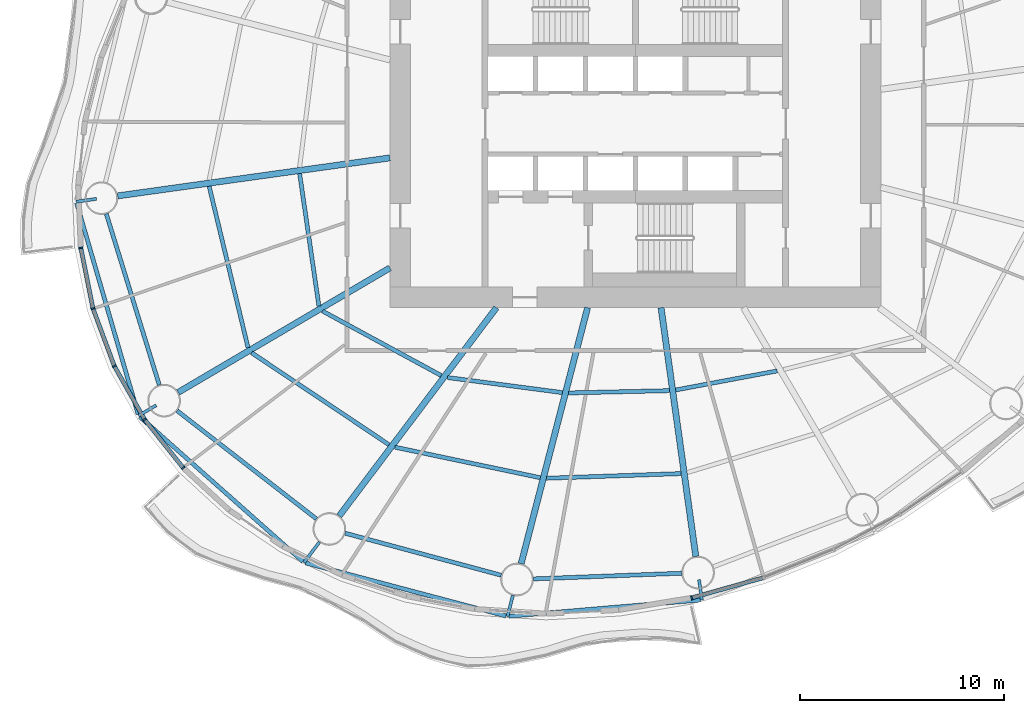
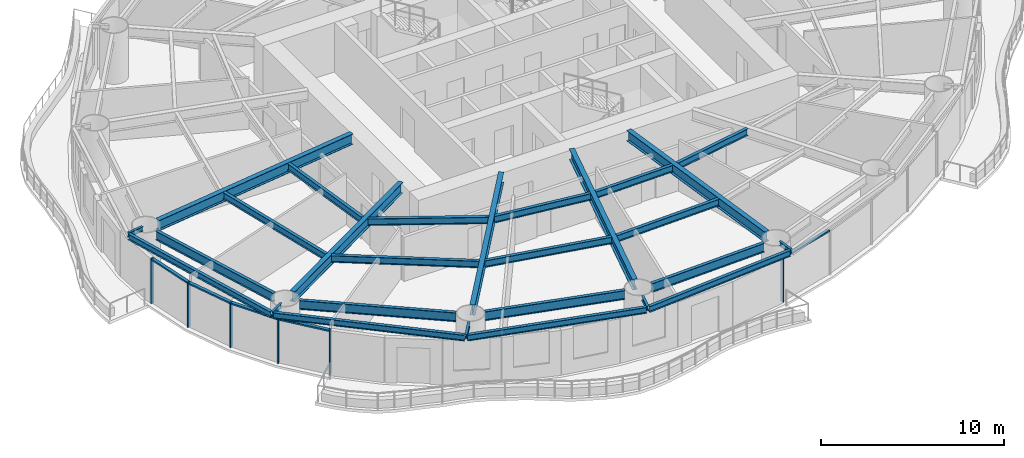
# One storey, part 2 of 14: 27 beams, 11 members, 5 elements without a shape of their own.
"""IFC4 building model written with IfcOpenShell, lengths in metres."""

from ifc_helpers import new_model, si_unit, direction, frame, origin, origin_2d, place, context, subcontext, project, spatial, rectangle, i_section, extrude, material, material_profile, profile_set, type_object, element, aggregate, save


model = new_model("IFC4")

# Units and contexts
model_context = context("Model", 3, precision=1e-05, world=origin(), true_north=direction((0.0, 1.0)))
body_context = subcontext(model_context, "Body", "Model", "MODEL_VIEW")
ifc_project = project(units=[si_unit("LENGTHUNIT", "METRE"), si_unit("AREAUNIT", "SQUARE_METRE"), si_unit("VOLUMEUNIT", "CUBIC_METRE"), si_unit("PLANEANGLEUNIT", "RADIAN"), si_unit("MASSUNIT", "GRAM", prefix="KILO")], contexts=[model_context])

# Site, building, storey
site_placement = place(None, origin())
site = spatial("IfcSite", under=ifc_project, at=site_placement, CompositionType="ELEMENT")
building_placement = place(site_placement, origin())
building = spatial("IfcBuilding", under=site, at=building_placement, Name="Vermilion Reach Broadcast Tower", CompositionType="ELEMENT")
storey_placement = place(building_placement, frame((0.0, 0.0, 131.800048828125)))
storey = spatial("IfcBuildingStorey", under=building, at=storey_placement, Name="L31", CompositionType="ELEMENT", Elevation=131.800048828125)

# Beams
ifc_material_1 = material(Name="Steel S355J2", Category="steel")
ifc_material_profile_1 = material_profile(ifc_material_1, i_section(OverallWidth=0.199951171875, OverallDepth=0.39990234375, WebThickness=0.008056640625, FlangeThickness=0.012939453125, at=origin_2d()), Name="S355J2 HN 400x200x8x13")
ifc_profile_set_1 = profile_set([ifc_material_profile_1], Name="Steel S355J2")
beam_type_1 = type_object("IfcBeamType", Name="EB2 HN 400x200x8x13", PredefinedType="BEAM", material=ifc_profile_set_1)
beam_1_placement = place(storey_placement, frame((-33.3203125, -3.89111328125, 3.199951171875), z_axis=(0.279657086378, -0.960099950025, 0.0), x_axis=(0.960099950025, 0.279657086378, 0.0)))
element("IfcBeam", 1, at=beam_1_placement, inside=storey, type_object=beam_type_1, Name="Edge beam EB2-08", PredefinedType="BEAM", context=body_context, shape_type="SweptSolid", body=[
    extrude(i_section(OverallWidth=0.199951171875, OverallDepth=0.39990234375, WebThickness=0.008056640625, FlangeThickness=0.012939453125, at=origin_2d()), origin(), (0.0, 0.0, 1.0), 10.744873046875),
])
beam_2_placement = place(storey_placement, frame((-30.234619140625, -14.333984375, 3.199951171875), z_axis=(0.747933286133, -0.66377390691, 0.0), x_axis=(0.66377390691, 0.747933286133, 0.0)))
element("IfcBeam", 2, at=beam_2_placement, inside=storey, type_object=beam_type_1, Name="Edge beam EB2-09", PredefinedType="BEAM", context=body_context, shape_type="SweptSolid", body=[
    extrude(i_section(OverallWidth=0.199951171875, OverallDepth=0.39990234375, WebThickness=0.008056640625, FlangeThickness=0.012939453125, at=origin_2d()), origin(), (0.0, 0.0, 1.0), 10.663818359375),
])
beam_3_placement = place(storey_placement, frame((-22.124267578125, -21.483154296875, 3.199951171875), z_axis=(0.966673322989, -0.256013059475, 0.0), x_axis=(0.256013059475, 0.966673322989, 0.0)))
element("IfcBeam", 3, at=beam_3_placement, inside=storey, type_object=beam_type_1, Name="Edge beam EB2-10", PredefinedType="BEAM", context=body_context, shape_type="SweptSolid", body=[
    extrude(i_section(OverallWidth=0.199951171875, OverallDepth=0.39990234375, WebThickness=0.008056640625, FlangeThickness=0.012939453125, at=origin_2d()), origin(), (0.0, 0.0, 1.0), 10.13525390625),
])
beam_4_placement = place(storey_placement, frame((-12.175048828125, -24.090576171875, 3.199951171875), z_axis=(0.996416313659, 0.084584454097, 0.0), x_axis=(-0.084584454097, 0.996416313659, 0.0)))
element("IfcBeam", 4, at=beam_4_placement, inside=storey, type_object=beam_type_1, Name="Edge beam EB2-11", PredefinedType="BEAM", context=body_context, shape_type="SweptSolid", body=[
    extrude(i_section(OverallWidth=0.199951171875, OverallDepth=0.39990234375, WebThickness=0.008056640625, FlangeThickness=0.012939453125, at=origin_2d()), origin(), (0.0, 0.0, 1.0), 9.386474609375),
])
ifc_material_2 = material(Name="Steel S355J2", Category="steel")
ifc_material_profile_2 = material_profile(ifc_material_2, i_section(OverallWidth=0.300048828125, OverallDepth=0.699951171875, WebThickness=0.012939453125, FlangeThickness=0.02392578125, at=origin_2d()), Name="S355J2 HN 700x300x13x24")
ifc_profile_set_2 = profile_set([ifc_material_profile_2], Name="Steel S355J2")
beam_type_2 = type_object("IfcBeamType", Name="G2 HN 700x300x13x24", PredefinedType="BEAM", material=ifc_profile_set_2)
beam_5_placement = place(storey_placement, frame((-18.0, -1.67578125, 3.050048828125), z_axis=(-0.990389457618, -0.138306623986, 0.0), x_axis=(0.138306623986, -0.990389457618, 0.0)))
element("IfcBeam", 5, at=beam_5_placement, inside=storey, type_object=beam_type_2, Name="Girder G2-08", PredefinedType="BEAM", context=body_context, shape_type="SweptSolid", body=[
    extrude(i_section(OverallWidth=0.300048828125, OverallDepth=0.699951171875, WebThickness=0.012939453125, FlangeThickness=0.02392578125, at=origin_2d()), origin(), (0.0, 0.0, 1.0), 13.445556640625),
])
beam_6_placement = place(storey_placement, frame((-18.0, -7.054443359375, 3.050048828125), z_axis=(-0.862071616631, -0.506786471603, 0.0), x_axis=(0.506786471603, -0.862071616631, 0.0)))
element("IfcBeam", 6, at=beam_6_placement, inside=storey, type_object=beam_type_2, Name="Girder G2-09", PredefinedType="BEAM", context=body_context, shape_type="SweptSolid", body=[
    extrude(i_section(OverallWidth=0.300048828125, OverallDepth=0.699951171875, WebThickness=0.012939453125, FlangeThickness=0.02392578125, at=origin_2d()), origin(), (0.0, 0.0, 1.0), 12.01025390625),
])
beam_7_placement = place(storey_placement, frame((-12.794189453125, -9.0, 3.050048828125), z_axis=(-0.602519842365, -0.798103902733, 0.0), x_axis=(0.798103902733, -0.602519842365, 0.0)))
element("IfcBeam", 7, at=beam_7_placement, inside=storey, type_object=beam_type_2, Name="Girder G2-10", PredefinedType="BEAM", context=body_context, shape_type="SweptSolid", body=[
    extrude(i_section(OverallWidth=0.300048828125, OverallDepth=0.699951171875, WebThickness=0.012939453125, FlangeThickness=0.02392578125, at=origin_2d()), origin(), (0.0, 0.0, 1.0), 12.758544921875),
])
beam_8_placement = place(storey_placement, frame((-8.3359375, -9.0, 3.050048828125), z_axis=(-0.25121695316, -0.967930804575, 0.0), x_axis=(0.967930804575, -0.25121695316, 0.0)))
element("IfcBeam", 8, at=beam_8_placement, inside=storey, type_object=beam_type_2, Name="Girder G2-11", PredefinedType="BEAM", context=body_context, shape_type="SweptSolid", body=[
    extrude(i_section(OverallWidth=0.300048828125, OverallDepth=0.699951171875, WebThickness=0.012939453125, FlangeThickness=0.02392578125, at=origin_2d()), origin(), (0.0, 0.0, 1.0), 12.93505859375),
])
beam_9_placement = place(storey_placement, frame((-4.7431640625, -9.0, 3.050048828125), z_axis=(0.138317561234, -0.990387930184, 0.0), x_axis=(0.990387930184, 0.138317561234, 0.0)))
element("IfcBeam", 9, at=beam_9_placement, inside=storey, type_object=beam_type_2, Name="Girder G2-12", PredefinedType="BEAM", context=body_context, shape_type="SweptSolid", body=[
    extrude(i_section(OverallWidth=0.300048828125, OverallDepth=0.699951171875, WebThickness=0.012939453125, FlangeThickness=0.02392578125, at=origin_2d()), origin(), (0.0, 0.0, 1.0), 12.281494140625),
])
ifc_material_3 = material(Name="Steel S355J2", Category="steel")
ifc_material_profile_3 = material_profile(ifc_material_3, i_section(OverallWidth=0.14990234375, OverallDepth=0.300048828125, WebThickness=0.006591796875, FlangeThickness=0.009033203125, at=origin_2d()), Name="S355J2 HN 300x150x6.5x9")
ifc_profile_set_3 = profile_set([ifc_material_profile_3], Name="Steel S355J2")
beam_type_3 = type_object("IfcBeamType", Name="GS2 HN 300x150x6.5x9", PredefinedType="BEAM", material=ifc_profile_set_3)
beam_10_placement = place(storey_placement, frame((-32.351318359375, -3.679931640625, 3.25), z_axis=(-0.990369889118, -0.138446678286, 0.0), x_axis=(0.138446678286, -0.990369889118, 0.0)))
element("IfcBeam", 10, at=beam_10_placement, inside=storey, type_object=beam_type_3, Name="Cantilever stub GS2-08", PredefinedType="BEAM", context=body_context, shape_type="SweptSolid", body=[
    extrude(i_section(OverallWidth=0.14990234375, OverallDepth=0.300048828125, WebThickness=0.006591796875, FlangeThickness=0.009033203125, at=origin_2d()), origin(), (0.0, 0.0, 1.0), 0.999755859375),
])
beam_11_placement = place(storey_placement, frame((-29.431640625, -13.774658203125, 3.25), z_axis=(-0.862047161964, -0.506828068037, 0.0), x_axis=(0.506828068037, -0.862047161964, 0.0)))
element("IfcBeam", 11, at=beam_11_placement, inside=storey, type_object=beam_type_3, Name="Cantilever stub GS2-09", PredefinedType="BEAM", context=body_context, shape_type="SweptSolid", body=[
    extrude(i_section(OverallWidth=0.14990234375, OverallDepth=0.300048828125, WebThickness=0.006591796875, FlangeThickness=0.009033203125, at=origin_2d()), origin(), (0.0, 0.0, 1.0), 1.0),
])
beam_12_placement = place(storey_placement, frame((-21.4453125, -20.45947265625, 3.25), z_axis=(-0.602483974538, -0.798130979492, 0.0), x_axis=(0.798130979492, -0.602483974538, 0.0)))
element("IfcBeam", 12, at=beam_12_placement, inside=storey, type_object=beam_type_3, Name="Cantilever stub GS2-10", PredefinedType="BEAM", context=body_context, shape_type="SweptSolid", body=[
    extrude(i_section(OverallWidth=0.14990234375, OverallDepth=0.300048828125, WebThickness=0.006591796875, FlangeThickness=0.009033203125, at=origin_2d()), origin(), (0.0, 0.0, 1.0), 1.256591796875),
])
beam_13_placement = place(storey_placement, frame((-11.987548828125, -23.06884765625, 3.25), z_axis=(-0.251177484526, -0.967941047413, 0.0), x_axis=(0.967941047413, -0.251177484526, 0.0)))
element("IfcBeam", 13, at=beam_13_placement, inside=storey, type_object=beam_type_3, Name="Cantilever stub GS2-11", PredefinedType="BEAM", context=body_context, shape_type="SweptSolid", body=[
    extrude(i_section(OverallWidth=0.14990234375, OverallDepth=0.300048828125, WebThickness=0.006591796875, FlangeThickness=0.009033203125, at=origin_2d()), origin(), (0.0, 0.0, 1.0), 1.0625),
])
beam_14_placement = place(storey_placement, frame((-2.8857421875, -22.2998046875, 3.25), z_axis=(0.13817375644, -0.990408003315, 0.0), x_axis=(0.990408003315, 0.13817375644, 0.0)))
element("IfcBeam", 14, at=beam_14_placement, inside=storey, type_object=beam_type_3, Name="Cantilever stub GS2-12", PredefinedType="BEAM", context=body_context, shape_type="SweptSolid", body=[
    extrude(i_section(OverallWidth=0.14990234375, OverallDepth=0.300048828125, WebThickness=0.006591796875, FlangeThickness=0.009033203125, at=origin_2d()), origin(), (0.0, 0.0, 1.0), 1.0),
])
ifc_material_4 = material(Name="Steel S355J2", Category="steel")
ifc_material_profile_4 = material_profile(ifc_material_4, i_section(OverallWidth=0.199951171875, OverallDepth=0.60009765625, WebThickness=0.010986328125, FlangeThickness=0.01708984375, at=origin_2d()), Name="S355J2 HN 600x200x11x17")
ifc_profile_set_4 = profile_set([ifc_material_profile_4], Name="Steel S355J2")
beam_type_4 = type_object("IfcBeamType", Name="RB2 HN 600x200x11x17", PredefinedType="BEAM", material=ifc_profile_set_4)
beam_15_placement = place(storey_placement, frame((-31.872314453125, -4.410400390625, 3.099853515625), z_axis=(0.295788439635, -0.95525347368, 0.0), x_axis=(0.95525347368, 0.295788439635, 0.0)))
element("IfcBeam", 15, at=beam_15_placement, inside=storey, type_object=beam_type_4, Name="Ring beam RB2-08", PredefinedType="BEAM", context=body_context, shape_type="SweptSolid", body=[
    extrude(i_section(OverallWidth=0.199951171875, OverallDepth=0.60009765625, WebThickness=0.010986328125, FlangeThickness=0.01708984375, at=origin_2d()), origin(), (0.0, 0.0, 1.0), 8.763916015625),
])
beam_16_placement = place(storey_placement, frame((-28.41162109375, -14.037109375, 3.099853515625), z_axis=(0.789825712432, -0.613331349257, 0.0), x_axis=(0.613331349257, 0.789825712432, 0.0)))
element("IfcBeam", 16, at=beam_16_placement, inside=storey, type_object=beam_type_4, Name="Ring beam RB2-09", PredefinedType="BEAM", context=body_context, shape_type="SweptSolid", body=[
    extrude(i_section(OverallWidth=0.199951171875, OverallDepth=0.60009765625, WebThickness=0.010986328125, FlangeThickness=0.01708984375, at=origin_2d()), origin(), (0.0, 0.0, 1.0), 8.63037109375),
])
beam_17_placement = place(storey_placement, frame((-20.19091796875, -20.029296875, 3.099853515625), z_axis=(0.965541463834, -0.260249268234, 0.0), x_axis=(0.260249268234, 0.965541463834, 0.0)))
element("IfcBeam", 17, at=beam_17_placement, inside=storey, type_object=beam_type_4, Name="Ring beam RB2-10", PredefinedType="BEAM", context=body_context, shape_type="SweptSolid", body=[
    extrude(i_section(OverallWidth=0.199951171875, OverallDepth=0.60009765625, WebThickness=0.010986328125, FlangeThickness=0.01708984375, at=origin_2d()), origin(), (0.0, 0.0, 1.0), 7.904541015625),
])
beam_18_placement = place(storey_placement, frame((-10.987060546875, -22.263916015625, 3.099853515625), z_axis=(0.999268558327, 0.038240663418, 0.0), x_axis=(-0.038240663418, 0.999268558327, 0.0)))
element("IfcBeam", 18, at=beam_18_placement, inside=storey, type_object=beam_type_4, Name="Ring beam RB2-11", PredefinedType="BEAM", context=body_context, shape_type="SweptSolid", body=[
    extrude(i_section(OverallWidth=0.199951171875, OverallDepth=0.60009765625, WebThickness=0.010986328125, FlangeThickness=0.01708984375, at=origin_2d()), origin(), (0.0, 0.0, 1.0), 7.259033203125),
])
ifc_material_5 = material(Name="Steel S355J2", Category="steel")
ifc_material_profile_5 = material_profile(ifc_material_5, i_section(OverallWidth=0.199951171875, OverallDepth=0.449951171875, WebThickness=0.009033203125, FlangeThickness=0.013916015625, at=origin_2d()), Name="S355J2 HN 450x200x9x14")
ifc_profile_set_5 = profile_set([ifc_material_profile_5], Name="Steel S355J2")
beam_type_5 = type_object("IfcBeamType", Name="SB2 HN 450x200x9x14", PredefinedType="BEAM", material=ifc_profile_set_5)
beam_19_placement = place(storey_placement, frame((-22.417236328125, -2.444091796875, 3.175048828125), z_axis=(0.143973706518, -0.989581513485, 0.0), x_axis=(0.989581513485, 0.143973706518, 0.0)))
element("IfcBeam", 19, at=beam_19_placement, inside=storey, type_object=beam_type_5, Name="Secondary beam SB2-08-1", PredefinedType="BEAM", context=body_context, shape_type="SweptSolid", body=[
    extrude(i_section(OverallWidth=0.199951171875, OverallDepth=0.449951171875, WebThickness=0.009033203125, FlangeThickness=0.013916015625, at=origin_2d()), origin(), (0.0, 0.0, 1.0), 6.547119140625),
])
beam_20_placement = place(storey_placement, frame((-26.84228515625, -3.06201171875, 3.175048828125), z_axis=(0.234260568382, -0.972173845617, 0.0), x_axis=(0.972173845617, 0.234260568382, 0.0)))
element("IfcBeam", 20, at=beam_20_placement, inside=storey, type_object=beam_type_5, Name="Secondary beam SB2-08-2", PredefinedType="BEAM", context=body_context, shape_type="SweptSolid", body=[
    extrude(i_section(OverallWidth=0.199951171875, OverallDepth=0.449951171875, WebThickness=0.009033203125, FlangeThickness=0.013916015625, at=origin_2d()), origin(), (0.0, 0.0, 1.0), 8.123779296875),
])
beam_21_placement = place(storey_placement, frame((-21.29736328125, -9.1669921875, 3.175048828125), z_axis=(0.878713106774, -0.477350265512, 0.0), x_axis=(0.477350265512, 0.878713106774, 0.0)))
element("IfcBeam", 21, at=beam_21_placement, inside=storey, type_object=beam_type_5, Name="Secondary beam SB2-09-1", PredefinedType="BEAM", context=body_context, shape_type="SweptSolid", body=[
    extrude(i_section(OverallWidth=0.199951171875, OverallDepth=0.449951171875, WebThickness=0.009033203125, FlangeThickness=0.013916015625, at=origin_2d()), origin(), (0.0, 0.0, 1.0), 6.60888671875),
])
beam_22_placement = place(storey_placement, frame((-24.76416015625, -11.204833984375, 3.175048828125), z_axis=(0.830915400975, -0.556398774641, 0.0), x_axis=(0.556398774641, 0.830915400975, 0.0)))
element("IfcBeam", 22, at=beam_22_placement, inside=storey, type_object=beam_type_5, Name="Secondary beam SB2-09-2", PredefinedType="BEAM", context=body_context, shape_type="SweptSolid", body=[
    extrude(i_section(OverallWidth=0.199951171875, OverallDepth=0.449951171875, WebThickness=0.009033203125, FlangeThickness=0.013916015625, at=origin_2d()), origin(), (0.0, 0.0, 1.0), 8.087646484375),
])
beam_23_placement = place(storey_placement, frame((-15.185546875, -12.416748046875, 3.175048828125), z_axis=(0.991498686864, -0.130116693573, 0.0), x_axis=(0.130116693573, 0.991498686864, 0.0)))
element("IfcBeam", 23, at=beam_23_placement, inside=storey, type_object=beam_type_5, Name="Secondary beam SB2-10-1", PredefinedType="BEAM", context=body_context, shape_type="SweptSolid", body=[
    extrude(i_section(OverallWidth=0.199951171875, OverallDepth=0.449951171875, WebThickness=0.009033203125, FlangeThickness=0.013916015625, at=origin_2d()), origin(), (0.0, 0.0, 1.0), 5.66455078125),
])
beam_24_placement = place(storey_placement, frame((-17.7568359375, -15.822509765625, 3.175048828125), z_axis=(0.978631382549, -0.205622511148, 0.0), x_axis=(0.205622511148, 0.978631382549, 0.0)))
element("IfcBeam", 24, at=beam_24_placement, inside=storey, type_object=beam_type_5, Name="Secondary beam SB2-10-2", PredefinedType="BEAM", context=body_context, shape_type="SweptSolid", body=[
    extrude(i_section(OverallWidth=0.199951171875, OverallDepth=0.449951171875, WebThickness=0.009033203125, FlangeThickness=0.013916015625, at=origin_2d()), origin(), (0.0, 0.0, 1.0), 7.262939453125),
])
beam_25_placement = place(storey_placement, frame((-9.26318359375, -13.169921875, 3.175048828125), z_axis=(0.999742320425, 0.022700060602, 0.0), x_axis=(-0.022700060602, 0.999742320425, 0.0)))
element("IfcBeam", 25, at=beam_25_placement, inside=storey, type_object=beam_type_5, Name="Secondary beam SB2-11-1", PredefinedType="BEAM", context=body_context, shape_type="SweptSolid", body=[
    extrude(i_section(OverallWidth=0.199951171875, OverallDepth=0.449951171875, WebThickness=0.009033203125, FlangeThickness=0.013916015625, at=origin_2d()), origin(), (0.0, 0.0, 1.0), 4.9365234375),
])
beam_26_placement = place(storey_placement, frame((-10.345947265625, -17.34130859375, 3.175048828125), z_axis=(0.999404722387, 0.03449928797, 0.0), x_axis=(-0.03449928797, 0.999404722387, 0.0)))
element("IfcBeam", 26, at=beam_26_placement, inside=storey, type_object=beam_type_5, Name="Secondary beam SB2-11-2", PredefinedType="BEAM", context=body_context, shape_type="SweptSolid", body=[
    extrude(i_section(OverallWidth=0.199951171875, OverallDepth=0.449951171875, WebThickness=0.009033203125, FlangeThickness=0.013916015625, at=origin_2d()), origin(), (0.0, 0.0, 1.0), 6.58837890625),
])
beam_27_placement = place(storey_placement, frame((-4.029296875, -13.026611328125, 3.175048828125), z_axis=(0.982782890015, 0.184764149915, 0.0), x_axis=(-0.184764149915, 0.982782890015, 0.0)))
element("IfcBeam", 27, at=beam_27_placement, inside=storey, type_object=beam_type_5, Name="Secondary beam SB2-12-1", PredefinedType="BEAM", context=body_context, shape_type="SweptSolid", body=[
    extrude(i_section(OverallWidth=0.199951171875, OverallDepth=0.449951171875, WebThickness=0.009033203125, FlangeThickness=0.013916015625, at=origin_2d()), origin(), (0.0, 0.0, 1.0), 5.051513671875),
])

# Curtain wall, member
ifc_material_6 = material(Name="Low-e laminated clear glass in aluminium frame", Category="aluminium")
curtain_wall_type = type_object("IfcCurtainWallType", Name="Slot curtain wall", PredefinedType="NOTDEFINED", material=ifc_material_6)
placement = place(storey_placement, origin())
curtain_wall_1 = element("IfcCurtainWall", 28, at=placement, inside=storey, type_object=curtain_wall_type, Name="Slot curtain wall L31 22", PredefinedType="NOTDEFINED")
ifc_material_7 = material(Name="Anodised aluminium", Category="aluminium")
ifc_material_profile_6 = material_profile(ifc_material_7, rectangle(XDim=0.199951171875, YDim=0.080078125, at=origin_2d()), Name="Slot mullion 80 x 200")
ifc_profile_set_6 = profile_set([ifc_material_profile_6], Name="Anodised aluminium")
member_type_1 = type_object("IfcMemberType", Name="Slot mullion 80 x 200", PredefinedType="MULLION", material=ifc_profile_set_6)
member_1_placement = place(storey_placement, frame((-33.115966796875, -6.079833984375, 0.0), z_axis=(0.0, 0.0, 1.0), x_axis=(0.992785491453, 0.119903994765, 0.0)))
member_1 = element("IfcMember", 29, at=member_1_placement, type_object=member_type_1, Name="Slot mullion L31 22", PredefinedType="MULLION", context=body_context, shape_type="SweptSolid", body=[
    extrude(rectangle(XDim=0.199951171875, YDim=0.080078125, at=origin_2d()), origin(), (0.0, 0.0, 1.0), 3.0),
])

curtain_wall_2 = element("IfcCurtainWall", 30, at=placement, inside=storey, type_object=curtain_wall_type, Name="Slot curtain wall L31 23", PredefinedType="NOTDEFINED")
member_2_placement = place(storey_placement, frame((-32.5224609375, -9.046630859375, 0.0), z_axis=(0.0, 0.0, 1.0), x_axis=(0.961974666166, 0.273138685754, 0.0)))
member_2 = element("IfcMember", 31, at=member_2_placement, type_object=member_type_1, Name="Slot mullion L31 23", PredefinedType="MULLION", context=body_context, shape_type="SweptSolid", body=[
    extrude(rectangle(XDim=0.199951171875, YDim=0.080078125, at=origin_2d()), origin(), (0.0, 0.0, 1.0), 3.0),
])

curtain_wall_3 = element("IfcCurtainWall", 32, at=placement, inside=storey, type_object=curtain_wall_type, Name="Slot curtain wall L31 24", PredefinedType="NOTDEFINED")
member_3_placement = place(storey_placement, frame((-31.477294921875, -11.858642578125, 0.0), z_axis=(0.0, 0.0, 1.0), x_axis=(0.906602623564, 0.421985406083, 0.0)))
member_3 = element("IfcMember", 33, at=member_3_placement, type_object=member_type_1, Name="Slot mullion L31 24", PredefinedType="MULLION", context=body_context, shape_type="SweptSolid", body=[
    extrude(rectangle(XDim=0.199951171875, YDim=0.080078125, at=origin_2d()), origin(), (0.0, 0.0, 1.0), 3.0),
])

# Curtain wall, members
curtain_wall_4 = element("IfcCurtainWall", 34, at=placement, inside=storey, type_object=curtain_wall_type, Name="Slot curtain wall L31 25", PredefinedType="NOTDEFINED")
member_4_placement = place(storey_placement, frame((-29.998779296875, -14.46875, 0.0), z_axis=(0.0, 0.0, 1.0), x_axis=(0.828364775024, 0.560189074778, 0.0)))
member_4 = element("IfcMember", 35, at=member_4_placement, type_object=member_type_1, Name="Slot mullion L31 25", PredefinedType="MULLION", context=body_context, shape_type="SweptSolid", body=[
    extrude(rectangle(XDim=0.199951171875, YDim=0.080078125, at=origin_2d()), origin(), (0.0, 0.0, 1.0), 3.0),
])
member_5_placement = place(storey_placement, frame((-28.11083984375, -16.833251953125, 0.0), z_axis=(0.0, 0.0, 1.0), x_axis=(0.730955555801, 0.682425069471, 0.0)))
member_5 = element("IfcMember", 36, at=member_5_placement, type_object=member_type_1, Name="Slot mullion L31 26", PredefinedType="MULLION", context=body_context, shape_type="SweptSolid", body=[
    extrude(rectangle(XDim=0.199951171875, YDim=0.080078125, at=origin_2d()), origin(), (0.0, 0.0, 1.0), 3.0),
])

# Curtain wall, member
curtain_wall_5 = element("IfcCurtainWall", 37, at=placement, inside=storey, type_object=curtain_wall_type, Name="Slot curtain wall L31 34", PredefinedType="NOTDEFINED")
member_6_placement = place(storey_placement, frame((-3.2431640625, -23.1904296875, 0.0), z_axis=(0.0, 0.0, 1.0), x_axis=(-0.217444849275, 0.976072608736, 0.0)))
member_6 = element("IfcMember", 38, at=member_6_placement, type_object=member_type_1, Name="Slot mullion L31 34", PredefinedType="MULLION", context=body_context, shape_type="SweptSolid", body=[
    extrude(rectangle(XDim=0.199951171875, YDim=0.080078125, at=origin_2d()), origin(), (0.0, 0.0, 1.0), 3.0),
])

# Member
ifc_material_8 = material(Name="Anodised aluminium", Category="aluminium")
ifc_material_profile_7 = material_profile(ifc_material_8, rectangle(XDim=0.199951171875, YDim=0.10009765625, at=origin_2d()), Name="Slot transom 200 x 100")
ifc_profile_set_7 = profile_set([ifc_material_profile_7], Name="Anodised aluminium")
member_type_2 = type_object("IfcMemberType", Name="Slot transom 200 x 100", PredefinedType="USERDEFINED", material=ifc_profile_set_7)
member_7_placement = place(storey_placement, frame((-33.108154296875, -6.119140625, 2.949951171875), z_axis=(0.196179889522, -0.980567922659, 0.0), x_axis=(0.980567922659, 0.196179889522, 0.0)))
member_7 = element("IfcMember", 39, at=member_7_placement, type_object=member_type_2, Name="Slot transom L31 22.1", ObjectType="TRANSOM", PredefinedType="USERDEFINED", context=body_context, shape_type="SweptSolid", body=[
    extrude(rectangle(XDim=0.199951171875, YDim=0.10009765625, at=origin_2d()), origin(), (0.0, 0.0, 1.0), 2.945556640625),
])

aggregate(curtain_wall_1, [member_1, member_7])

member_8_placement = place(storey_placement, frame((-32.508544921875, -9.084228515625, 2.949951171875), z_axis=(0.348327178415, -0.937373019015, 0.0), x_axis=(0.937373019015, 0.348327178415, 0.0)))
member_8 = element("IfcMember", 40, at=member_8_placement, type_object=member_type_2, Name="Slot transom L31 23.1", ObjectType="TRANSOM", PredefinedType="USERDEFINED", context=body_context, shape_type="SweptSolid", body=[
    extrude(rectangle(XDim=0.199951171875, YDim=0.10009765625, at=origin_2d()), origin(), (0.0, 0.0, 1.0), 2.919921875),
])

aggregate(curtain_wall_2, [member_2, member_8])

member_9_placement = place(storey_placement, frame((-31.457763671875, -11.8935546875, 2.949951171875), z_axis=(0.492938725974, -0.870064027779, 0.0), x_axis=(0.870064027779, 0.492938725974, 0.0)))
member_9 = element("IfcMember", 41, at=member_9_placement, type_object=member_type_2, Name="Slot transom L31 24.1", ObjectType="TRANSOM", PredefinedType="USERDEFINED", context=body_context, shape_type="SweptSolid", body=[
    extrude(rectangle(XDim=0.199951171875, YDim=0.10009765625, at=origin_2d()), origin(), (0.0, 0.0, 1.0), 2.919677734375),
])

aggregate(curtain_wall_3, [member_3, member_9])

member_10_placement = place(storey_placement, frame((-29.973876953125, -14.5, 2.949951171875), z_axis=(0.623926581875, -0.781482962341, 0.0), x_axis=(0.781482962341, 0.623926581875, 0.0)))
member_10 = element("IfcMember", 42, at=member_10_placement, type_object=member_type_2, Name="Slot transom L31 25.1", ObjectType="TRANSOM", PredefinedType="USERDEFINED", context=body_context, shape_type="SweptSolid", body=[
    extrude(rectangle(XDim=0.199951171875, YDim=0.10009765625, at=origin_2d()), origin(), (0.0, 0.0, 1.0), 2.94580078125),
])

aggregate(curtain_wall_4, [member_4, member_5, member_10])

member_11_placement = place(storey_placement, frame((-3.20458984375, -23.1796875, 2.949951171875), z_axis=(0.962673715181, 0.270664585973, 0.0), x_axis=(-0.270664585973, 0.962673715181, 0.0)))
member_11 = element("IfcMember", 43, at=member_11_placement, type_object=member_type_2, Name="Slot transom L31 34.1", ObjectType="TRANSOM", PredefinedType="USERDEFINED", context=body_context, shape_type="SweptSolid", body=[
    extrude(rectangle(XDim=0.199951171875, YDim=0.10009765625, at=origin_2d()), origin(), (0.0, 0.0, 1.0), 3.5791015625),
])

aggregate(curtain_wall_5, [member_6, member_11])

save(model, "model.ifc")
